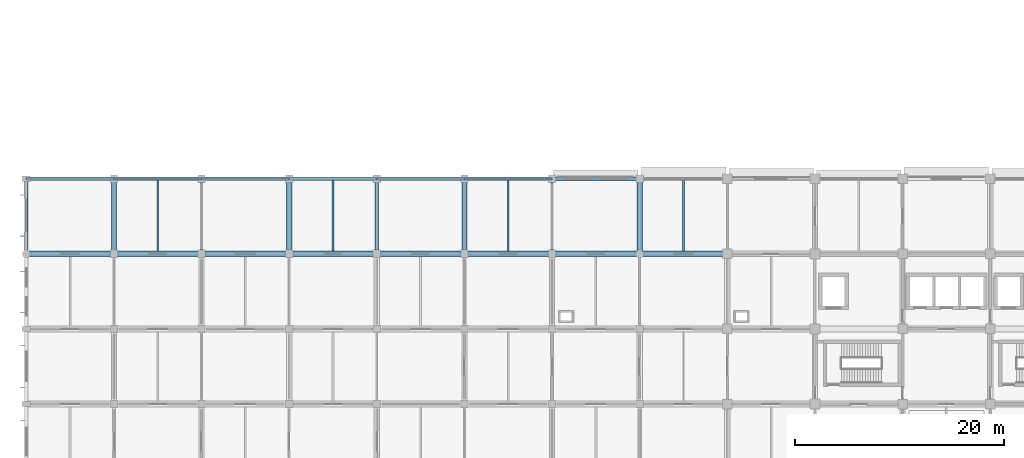
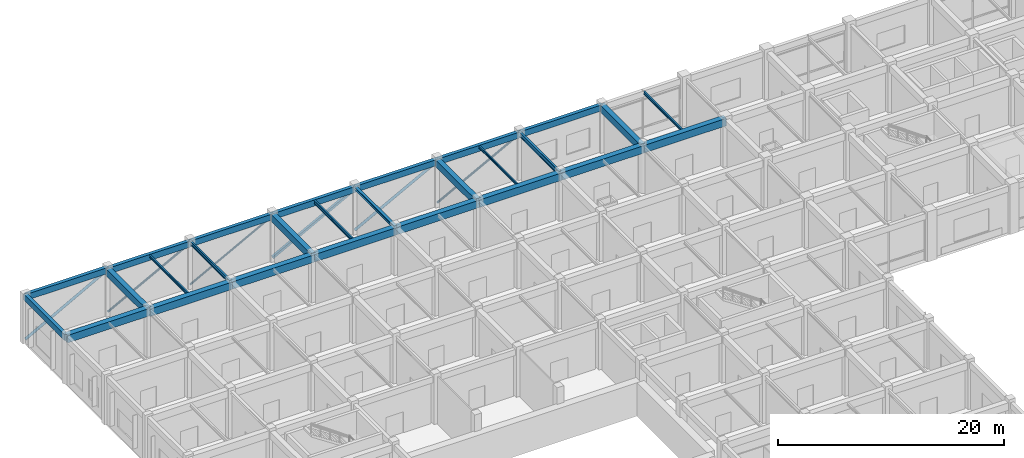
# One storey, part 9 of 41: 27 beams, 6 members.
"""IFC4 building model written with IfcOpenShell, lengths in metres."""

from ifc_helpers import new_model, si_unit, derived_unit, direction, frame, origin, origin_2d, place, context, subcontext, project, spatial, rectangle, hollow_rectangle, hollow_circle, i_section, extrude, material, material_profile, profile_set, type_object, element, save


model = new_model("IFC4")

# Units and contexts
model_context = context("Model", 3, precision=1e-05, world=origin(), true_north=direction((0.0, 1.0)))
body_context = subcontext(model_context, "Body", "Model", "MODEL_VIEW")
ifc_project = project(units=[si_unit("LENGTHUNIT", "METRE"), si_unit("AREAUNIT", "SQUARE_METRE"), si_unit("VOLUMEUNIT", "CUBIC_METRE"), si_unit("PLANEANGLEUNIT", "RADIAN"), si_unit("MASSUNIT", "GRAM", prefix="KILO"), derived_unit("THERMALTRANSMITTANCEUNIT", [(si_unit("MASSUNIT", "GRAM", prefix="KILO"), 1), (si_unit("TIMEUNIT", "SECOND"), -3), (si_unit("THERMODYNAMICTEMPERATUREUNIT", "KELVIN"), -1)])], contexts=[model_context])

# Site, building, storey
site_placement = place(None, origin())
site = spatial("IfcSite", under=ifc_project, at=site_placement, CompositionType="ELEMENT")
building_placement = place(site_placement, origin())
building = spatial("IfcBuilding", under=site, at=building_placement, Name="Veldstrom Oceanarium and Marine Research Institute", CompositionType="ELEMENT")
storey_placement = place(building_placement, frame((0.0, 0.0, 6.0)))
storey = spatial("IfcBuildingStorey", under=building, at=storey_placement, Name="L01", CompositionType="ELEMENT", Elevation=6.0)

# Beams
ifc_material_1 = material(Name="Concrete C40/50", Category="concrete")
ifc_material_profile_1 = material_profile(ifc_material_1, rectangle(XDim=0.550048828125, YDim=0.800048828125, at=origin_2d()), Name="RC-BM-550x800")
ifc_profile_set_1 = profile_set([ifc_material_profile_1], Name="Concrete C40/50")
beam_type_1 = type_object("IfcBeamType", Name="STR-BM-B02", PredefinedType="BEAM", material=ifc_profile_set_1)
beam_1_placement = place(storey_placement, frame((0.0, 64.800048828125, 4.77001953125), z_axis=(1.0, 0.0, 0.0), x_axis=(0.0, 1.0, 0.0)))
element("IfcBeam", 1, at=beam_1_placement, inside=storey, type_object=beam_type_1, Name="Primary Beam B02 L01-1139", PredefinedType="BEAM", context=body_context, shape_type="SweptSolid", body=[
    extrude(rectangle(XDim=0.550048828125, YDim=0.800048828125, at=origin_2d()), origin(), (0.0, 0.0, 1.0), 8.39990234375),
])
beam_2_placement = place(storey_placement, frame((8.39990234375, 64.800048828125, 4.669921875), z_axis=(1.0, 0.0, 0.0), x_axis=(0.0, 1.0, 0.0)))
element("IfcBeam", 2, at=beam_2_placement, inside=storey, type_object=beam_type_1, Name="Primary Beam B02 L01-1148", PredefinedType="BEAM", context=body_context, shape_type="SweptSolid", body=[
    extrude(rectangle(XDim=0.550048828125, YDim=0.800048828125, at=origin_2d()), origin(), (0.0, 0.0, 1.0), 8.400146484375),
])
beam_3_placement = place(storey_placement, frame((16.800048828125, 64.800048828125, 4.669921875), z_axis=(1.0, 0.0, 0.0), x_axis=(0.0, 1.0, 0.0)))
element("IfcBeam", 3, at=beam_3_placement, inside=storey, type_object=beam_type_1, Name="Primary Beam B02 L01-1156", PredefinedType="BEAM", context=body_context, shape_type="SweptSolid", body=[
    extrude(rectangle(XDim=0.550048828125, YDim=0.800048828125, at=origin_2d()), origin(), (0.0, 0.0, 1.0), 8.39990234375),
])
beam_4_placement = place(storey_placement, frame((25.199951171875, 64.800048828125, 4.669921875), z_axis=(1.0, 0.0, 0.0), x_axis=(0.0, 1.0, 0.0)))
element("IfcBeam", 4, at=beam_4_placement, inside=storey, type_object=beam_type_1, Name="Primary Beam B02 L01-1164", PredefinedType="BEAM", context=body_context, shape_type="SweptSolid", body=[
    extrude(rectangle(XDim=0.550048828125, YDim=0.800048828125, at=origin_2d()), origin(), (0.0, 0.0, 1.0), 8.400146484375),
])
for number, where, z_axis, x_axis, name in (
    (5, (33.60009765625, 64.800048828125, 4.669921875), (1.0, 0.0, 0.0), (0.0, 1.0, 0.0), "Primary Beam B02 L01-1172"),
    (6, (42.0, 64.800048828125, 4.669921875), (1.0, 0.0, 0.0), (0.0, 1.0, 0.0), "Primary Beam B02 L01-1183"),
):
    element("IfcBeam", number, at=place(storey_placement, frame(where, z_axis=z_axis, x_axis=x_axis)), inside=storey, type_object=beam_type_1, Name=name, PredefinedType="BEAM", context=body_context, shape_type="SweptSolid", body=[
        extrude(rectangle(XDim=0.550048828125, YDim=0.800048828125, at=origin_2d()), origin(), (0.0, 0.0, 1.0), 8.39990234375),
    ])
beam_5_placement = place(storey_placement, frame((50.39990234375, 64.800048828125, 4.669921875), z_axis=(1.0, 0.0, 0.0), x_axis=(0.0, 1.0, 0.0)))
element("IfcBeam", 7, at=beam_5_placement, inside=storey, type_object=beam_type_1, Name="Primary Beam B02 L01-1194", PredefinedType="BEAM", context=body_context, shape_type="SweptSolid", body=[
    extrude(rectangle(XDim=0.550048828125, YDim=0.800048828125, at=origin_2d()), origin(), (0.0, 0.0, 1.0), 8.400146484375),
])
beam_6_placement = place(storey_placement, frame((58.800048828125, 64.800048828125, 4.669921875), z_axis=(1.0, 0.0, 0.0), x_axis=(0.0, 1.0, 0.0)))
element("IfcBeam", 8, at=beam_6_placement, inside=storey, type_object=beam_type_1, Name="Primary Beam B02 L01-1205", PredefinedType="BEAM", context=body_context, shape_type="SweptSolid", body=[
    extrude(rectangle(XDim=0.550048828125, YDim=0.800048828125, at=origin_2d()), origin(), (0.0, 0.0, 1.0), 8.39990234375),
])
ifc_material_2 = material(Name="Concrete C40/50", Category="concrete")
ifc_material_profile_2 = material_profile(ifc_material_2, rectangle(XDim=0.5, YDim=0.75, at=origin_2d()), Name="RC-BM-500x750")
ifc_profile_set_2 = profile_set([ifc_material_profile_2], Name="Concrete C40/50")
beam_type_2 = type_object("IfcBeamType", Name="STR-BM-B03", PredefinedType="BEAM", material=ifc_profile_set_2)
for number, where, z_axis, x_axis, name in (
    (9, (8.39990234375, 64.800048828125, 4.695068359375), (0.0, 1.0, 0.0), (-1.0, 0.0, 0.0), "Primary Beam B03 L01-1300"),
    (10, (25.199951171875, 64.800048828125, 4.695068359375), (0.0, 1.0, 0.0), (-1.0, 0.0, 0.0), "Primary Beam B03 L01-1316"),
    (11, (42.0, 64.800048828125, 4.695068359375), (0.0, 1.0, 0.0), (-1.0, 0.0, 0.0), "Primary Beam B03 L01-1332"),
    (12, (58.800048828125, 64.800048828125, 4.695068359375), (0.0, 1.0, 0.0), (-1.0, 0.0, 0.0), "Primary Beam B03 L01-1352"),
):
    element("IfcBeam", number, at=place(storey_placement, frame(where, z_axis=z_axis, x_axis=x_axis)), inside=storey, type_object=beam_type_2, Name=name, PredefinedType="BEAM", context=body_context, shape_type="SweptSolid", body=[
        extrude(rectangle(XDim=0.5, YDim=0.75, at=origin_2d()), origin(), (0.0, 0.0, 1.0), 7.199951171875),
    ])
ifc_material_3 = material(Name="Steel S355JR", Category="steel")
ifc_material_profile_3 = material_profile(ifc_material_3, i_section(OverallWidth=0.300048828125, OverallDepth=0.2900390625, WebThickness=0.008544921875, FlangeThickness=0.013916015625, FilletRadius=0.027099609375, at=origin_2d()), Name="HEA 300")
ifc_profile_set_3 = profile_set([ifc_material_profile_3], Name="Steel S355JR")
beam_type_3 = type_object("IfcBeamType", Name="STR-BM-SB10", PredefinedType="BEAM", material=ifc_profile_set_3)
beam_7_placement = place(storey_placement, frame((33.60009765625, 64.800048828125, 4.925048828125), z_axis=(0.0, 1.0, 0.0), x_axis=(-1.0, 0.0, 0.0)))
element("IfcBeam", 13, at=beam_7_placement, inside=storey, type_object=beam_type_3, Name="Steel Tie Beam SB10 L01-1322", PredefinedType="BEAM", context=body_context, shape_type="SweptSolid", body=[
    extrude(i_section(OverallWidth=0.300048828125, OverallDepth=0.2900390625, WebThickness=0.008544921875, FlangeThickness=0.013916015625, FilletRadius=0.027099609375, at=origin_2d()), origin(), (0.0, 0.0, 1.0), 7.199951171875),
])
ifc_material_4 = material(Name="Steel S355JR", Category="steel")
ifc_material_profile_4 = material_profile(ifc_material_4, i_section(OverallWidth=0.199951171875, OverallDepth=0.5, WebThickness=0.01025390625, FlangeThickness=0.01611328125, FilletRadius=0.02099609375, at=origin_2d()), Name="IPE 500")
ifc_profile_set_4 = profile_set([ifc_material_profile_4], Name="Steel S355JR")
beam_type_4 = type_object("IfcBeamType", Name="STR-BM-SB6", PredefinedType="BEAM", material=ifc_profile_set_4)
beam_8_placement = place(storey_placement, frame((50.39990234375, 64.800048828125, 4.820068359375), z_axis=(0.0, 1.0, 0.0), x_axis=(-1.0, 0.0, 0.0)))
element("IfcBeam", 14, at=beam_8_placement, inside=storey, type_object=beam_type_4, Name="Steel Tie Beam SB6 L01-1342", PredefinedType="BEAM", context=body_context, shape_type="SweptSolid", body=[
    extrude(i_section(OverallWidth=0.199951171875, OverallDepth=0.5, WebThickness=0.01025390625, FlangeThickness=0.01611328125, FilletRadius=0.02099609375, at=origin_2d()), origin(), (0.0, 0.0, 1.0), 7.199951171875),
])
ifc_material_5 = material(Name="Steel S355JR", Category="steel")
ifc_material_profile_5 = material_profile(ifc_material_5, i_section(OverallWidth=0.179931640625, OverallDepth=0.39990234375, WebThickness=0.008544921875, FlangeThickness=0.013427734375, FilletRadius=0.02099609375, at=origin_2d()), Name="IPE 400")
ifc_profile_set_5 = profile_set([ifc_material_profile_5], Name="Steel S355JR")
beam_type_5 = type_object("IfcBeamType", Name="STR-BM-SB8", PredefinedType="BEAM", material=ifc_profile_set_5)
beam_9_placement = place(storey_placement, frame((16.800048828125, 64.800048828125, 4.8701171875), z_axis=(0.0, 1.0, 0.0), x_axis=(-1.0, 0.0, 0.0)))
element("IfcBeam", 15, at=beam_9_placement, inside=storey, type_object=beam_type_5, Name="Steel Tie Beam SB8 L01-1310", PredefinedType="BEAM", context=body_context, shape_type="SweptSolid", body=[
    extrude(i_section(OverallWidth=0.179931640625, OverallDepth=0.39990234375, WebThickness=0.008544921875, FlangeThickness=0.013427734375, FilletRadius=0.02099609375, at=origin_2d()), origin(), (0.0, 0.0, 1.0), 7.199951171875),
])
ifc_material_6 = material(Name="Steel S355JR", Category="steel")
ifc_material_profile_6 = material_profile(ifc_material_6, i_section(OverallWidth=0.169921875, OverallDepth=0.360107421875, WebThickness=0.008056640625, FlangeThickness=0.0126953125, FilletRadius=0.01806640625, at=origin_2d()), Name="IPE 360")
ifc_profile_set_6 = profile_set([ifc_material_profile_6], Name="Steel S355JR")
beam_type_6 = type_object("IfcBeamType", Name="STR-JST-SJ1", PredefinedType="JOIST", material=ifc_profile_set_6)
beam_10_placement = place(storey_placement, frame((29.39990234375, 65.074951171875, 4.889892578125), z_axis=(0.0, 1.0, 0.0), x_axis=(-1.0, 0.0, 0.0)))
element("IfcBeam", 16, at=beam_10_placement, inside=storey, type_object=beam_type_6, Name="Secondary Joist SJ1 L01-1444", PredefinedType="JOIST", context=body_context, shape_type="SweptSolid", body=[
    extrude(i_section(OverallWidth=0.169921875, OverallDepth=0.360107421875, WebThickness=0.008056640625, FlangeThickness=0.0126953125, FilletRadius=0.01806640625, at=origin_2d()), origin(), (0.0, 0.0, 1.0), 6.75),
])
ifc_material_7 = material(Name="Steel S355JR", Category="steel")
ifc_material_profile_7 = material_profile(ifc_material_7, i_section(OverallWidth=0.14990234375, OverallDepth=0.300048828125, WebThickness=0.007080078125, FlangeThickness=0.0107421875, FilletRadius=0.014892578125, at=origin_2d()), Name="IPE 300")
ifc_profile_set_7 = profile_set([ifc_material_profile_7], Name="Steel S355JR")
beam_type_7 = type_object("IfcBeamType", Name="STR-JST-SJ2", PredefinedType="JOIST", material=ifc_profile_set_7)
for number, where, z_axis, x_axis, name in (
    (17, (12.60009765625, 65.074951171875, 4.919921875), (0.0, 1.0, 0.0), (-1.0, 0.0, 0.0), "Secondary Joist SJ2 L01-1438"),
    (18, (63.0, 65.074951171875, 4.919921875), (0.0, 1.0, 0.0), (-1.0, 0.0, 0.0), "Secondary Joist SJ2 L01-1461"),
):
    element("IfcBeam", number, at=place(storey_placement, frame(where, z_axis=z_axis, x_axis=x_axis)), inside=storey, type_object=beam_type_7, Name=name, PredefinedType="JOIST", context=body_context, shape_type="SweptSolid", body=[
        extrude(i_section(OverallWidth=0.14990234375, OverallDepth=0.300048828125, WebThickness=0.007080078125, FlangeThickness=0.0107421875, FilletRadius=0.014892578125, at=origin_2d()), origin(), (0.0, 0.0, 1.0), 6.75),
    ])
ifc_material_8 = material(Name="Steel S355JR", Category="steel")
ifc_material_profile_8 = material_profile(ifc_material_8, i_section(OverallWidth=0.135009765625, OverallDepth=0.27001953125, WebThickness=0.006591796875, FlangeThickness=0.01025390625, FilletRadius=0.014892578125, at=origin_2d()), Name="IPE 270")
ifc_profile_set_8 = profile_set([ifc_material_profile_8], Name="Steel S355JR")
beam_type_8 = type_object("IfcBeamType", Name="STR-JST-SJ3", PredefinedType="JOIST", material=ifc_profile_set_8)
beam_11_placement = place(storey_placement, frame((46.199951171875, 65.074951171875, 4.93505859375), z_axis=(0.0, 1.0, 0.0), x_axis=(-1.0, 0.0, 0.0)))
element("IfcBeam", 19, at=beam_11_placement, inside=storey, type_object=beam_type_8, Name="Secondary Joist SJ3 L01-1451", PredefinedType="JOIST", context=body_context, shape_type="SweptSolid", body=[
    extrude(i_section(OverallWidth=0.135009765625, OverallDepth=0.27001953125, WebThickness=0.006591796875, FlangeThickness=0.01025390625, FilletRadius=0.014892578125, at=origin_2d()), origin(), (0.0, 0.0, 1.0), 6.75),
])

# Members
ifc_material_9 = material(Name="Steel S355JR", Category="steel")
ifc_material_profile_9 = material_profile(ifc_material_9, hollow_circle(Radius=0.109619140625, WallThickness=0.012451171875, at=origin_2d()), Name="CHS 219.1x12.5")
ifc_profile_set_9 = profile_set([ifc_material_profile_9], Name="Steel S355JR")
member_type_1 = type_object("IfcMemberType", Name="STR-MEM-BR1", PredefinedType="BRACE", material=ifc_profile_set_9)
member_1_placement = place(storey_placement, frame((8.39990234375, 72.0, 0.25), z_axis=(0.882570125241, 0.0, 0.470180788667), x_axis=(0.0, 1.0, 0.0)))
element("IfcMember", 20, at=member_1_placement, inside=storey, type_object=member_type_1, Name="Party-Wall Lateral Brace LB-L01-0608", PredefinedType="BRACE", context=body_context, shape_type="SweptSolid", body=[
    extrude(hollow_circle(Radius=0.109619140625, WallThickness=0.012451171875, at=origin_2d()), origin(), (0.0, 0.0, 1.0), 9.517822265625),
])
member_2_placement = place(storey_placement, frame((42.0, 72.0, 0.25), z_axis=(0.882564454407, 0.0, 0.47019143316), x_axis=(0.0, 1.0, 0.0)))
element("IfcMember", 21, at=member_2_placement, inside=storey, type_object=member_type_1, Name="Party-Wall Lateral Brace LB-L01-0612", PredefinedType="BRACE", context=body_context, shape_type="SweptSolid", body=[
    extrude(hollow_circle(Radius=0.109619140625, WallThickness=0.012451171875, at=origin_2d()), origin(), (0.0, 0.0, 1.0), 9.517578125),
])
ifc_material_10 = material(Name="Steel S355JR", Category="steel")
ifc_material_profile_10 = material_profile(ifc_material_10, hollow_circle(Radius=0.096923828125, WallThickness=0.010009765625, at=origin_2d()), Name="CHS 193.7x10")
ifc_profile_set_10 = profile_set([ifc_material_profile_10], Name="Steel S355JR")
member_type_2 = type_object("IfcMemberType", Name="STR-MEM-BR2", PredefinedType="BRACE", material=ifc_profile_set_10)
member_3_placement = place(storey_placement, frame((16.800048828125, 72.0, 0.25), z_axis=(0.882564454407, 0.0, 0.47019143316), x_axis=(0.0, 1.0, 0.0)))
element("IfcMember", 22, at=member_3_placement, inside=storey, type_object=member_type_2, Name="Party-Wall Lateral Brace LB-L01-0609", PredefinedType="BRACE", context=body_context, shape_type="SweptSolid", body=[
    extrude(hollow_circle(Radius=0.096923828125, WallThickness=0.010009765625, at=origin_2d()), origin(), (0.0, 0.0, 1.0), 9.517578125),
])
ifc_material_11 = material(Name="Steel S355JR", Category="steel")
ifc_material_profile_11 = material_profile(ifc_material_11, hollow_rectangle(XDim=0.25, YDim=0.25, WallThickness=0.012451171875, at=origin_2d()), Name="SHS 250x250x12.5")
ifc_profile_set_11 = profile_set([ifc_material_profile_11], Name="Steel S355JR")
member_type_3 = type_object("IfcMemberType", Name="STR-MEM-CH1", PredefinedType="CHORD", material=ifc_profile_set_11)
member_4_placement = place(storey_placement, frame((25.199951171875, 72.0, 0.25), z_axis=(0.882570125241, 0.0, 0.470180788667), x_axis=(0.0, 1.0, 0.0)))
element("IfcMember", 23, at=member_4_placement, inside=storey, type_object=member_type_3, Name="Party-Wall Lateral Brace LB-L01-0610", PredefinedType="CHORD", context=body_context, shape_type="SweptSolid", body=[
    extrude(hollow_rectangle(XDim=0.25, YDim=0.25, WallThickness=0.012451171875, at=origin_2d()), origin(), (0.0, 0.0, 1.0), 9.517822265625),
])
ifc_material_12 = material(Name="Steel S355JR", Category="steel")
ifc_material_profile_12 = material_profile(ifc_material_12, hollow_circle(Radius=0.136474609375, WallThickness=0.012451171875, at=origin_2d()), Name="CHS 273x12.5")
ifc_profile_set_12 = profile_set([ifc_material_profile_12], Name="Steel S355JR")
member_type_4 = type_object("IfcMemberType", Name="STR-MEM-CH3", PredefinedType="CHORD", material=ifc_profile_set_12)
member_5_placement = place(storey_placement, frame((0.0, 72.0, 0.25), z_axis=(0.878194866662, 0.0, 0.478303017101), x_axis=(0.0, 1.0, 0.0)))
element("IfcMember", 24, at=member_5_placement, inside=storey, type_object=member_type_4, Name="Party-Wall Lateral Brace LB-L01-0607", PredefinedType="CHORD", context=body_context, shape_type="SweptSolid", body=[
    extrude(hollow_circle(Radius=0.136474609375, WallThickness=0.012451171875, at=origin_2d()), origin(), (0.0, 0.0, 1.0), 9.56494140625),
])
member_6_placement = place(storey_placement, frame((33.60009765625, 72.0, 0.25), z_axis=(0.882564454407, 0.0, 0.47019143316), x_axis=(0.0, 1.0, 0.0)))
element("IfcMember", 25, at=member_6_placement, inside=storey, type_object=member_type_4, Name="Party-Wall Lateral Brace LB-L01-0611", PredefinedType="CHORD", context=body_context, shape_type="SweptSolid", body=[
    extrude(hollow_circle(Radius=0.136474609375, WallThickness=0.012451171875, at=origin_2d()), origin(), (0.0, 0.0, 1.0), 9.517578125),
])

# Beams
ifc_material_13 = material(Name="Concrete C40/50", Category="concrete")
ifc_material_profile_13 = material_profile(ifc_material_13, rectangle(XDim=0.35009765625, YDim=0.64990234375, at=origin_2d()), Name="RC-SPN-350x650")
ifc_profile_set_13 = profile_set([ifc_material_profile_13], Name="Concrete C40/50")
beam_type_9 = type_object("IfcBeamType", Name="STR-SPN-SP1", PredefinedType="SPANDREL", material=ifc_profile_set_13)
beam_12_placement = place(storey_placement, frame((0.0, 72.0, 4.844970703125), z_axis=(1.0, 0.0, 0.0), x_axis=(0.0, 1.0, 0.0)))
element("IfcBeam", 26, at=beam_12_placement, inside=storey, type_object=beam_type_9, Name="Perimeter Spandrel SPB1 L01-1140", PredefinedType="SPANDREL", context=body_context, shape_type="SweptSolid", body=[
    extrude(rectangle(XDim=0.35009765625, YDim=0.64990234375, at=origin_2d()), origin(), (0.0, 0.0, 1.0), 8.39990234375),
])
beam_13_placement = place(storey_placement, frame((8.39990234375, 72.0, 4.7451171875), z_axis=(1.0, 0.0, 0.0), x_axis=(0.0, 1.0, 0.0)))
element("IfcBeam", 27, at=beam_13_placement, inside=storey, type_object=beam_type_9, Name="Perimeter Spandrel SPB1 L01-1149", PredefinedType="SPANDREL", context=body_context, shape_type="SweptSolid", body=[
    extrude(rectangle(XDim=0.35009765625, YDim=0.64990234375, at=origin_2d()), origin(), (0.0, 0.0, 1.0), 8.400146484375),
])
beam_14_placement = place(storey_placement, frame((16.800048828125, 72.0, 4.7451171875), z_axis=(1.0, 0.0, 0.0), x_axis=(0.0, 1.0, 0.0)))
element("IfcBeam", 28, at=beam_14_placement, inside=storey, type_object=beam_type_9, Name="Perimeter Spandrel SPB1 L01-1157", PredefinedType="SPANDREL", context=body_context, shape_type="SweptSolid", body=[
    extrude(rectangle(XDim=0.35009765625, YDim=0.64990234375, at=origin_2d()), origin(), (0.0, 0.0, 1.0), 8.39990234375),
])
beam_15_placement = place(storey_placement, frame((25.199951171875, 72.0, 4.7451171875), z_axis=(1.0, 0.0, 0.0), x_axis=(0.0, 1.0, 0.0)))
element("IfcBeam", 29, at=beam_15_placement, inside=storey, type_object=beam_type_9, Name="Perimeter Spandrel SPB1 L01-1165", PredefinedType="SPANDREL", context=body_context, shape_type="SweptSolid", body=[
    extrude(rectangle(XDim=0.35009765625, YDim=0.64990234375, at=origin_2d()), origin(), (0.0, 0.0, 1.0), 8.400146484375),
])
for number, where, z_axis, x_axis, name in (
    (30, (33.60009765625, 72.0, 4.7451171875), (1.0, 0.0, 0.0), (0.0, 1.0, 0.0), "Perimeter Spandrel SPB1 L01-1173"),
    (31, (42.0, 72.0, 4.7451171875), (1.0, 0.0, 0.0), (0.0, 1.0, 0.0), "Perimeter Spandrel SPB1 L01-1184"),
):
    element("IfcBeam", number, at=place(storey_placement, frame(where, z_axis=z_axis, x_axis=x_axis)), inside=storey, type_object=beam_type_9, Name=name, PredefinedType="SPANDREL", context=body_context, shape_type="SweptSolid", body=[
        extrude(rectangle(XDim=0.35009765625, YDim=0.64990234375, at=origin_2d()), origin(), (0.0, 0.0, 1.0), 8.39990234375),
    ])
beam_16_placement = place(storey_placement, frame((50.39990234375, 72.0, 4.7451171875), z_axis=(1.0, 0.0, 0.0), x_axis=(0.0, 1.0, 0.0)))
element("IfcBeam", 32, at=beam_16_placement, inside=storey, type_object=beam_type_9, Name="Perimeter Spandrel SPB1 L01-1195", PredefinedType="SPANDREL", context=body_context, shape_type="SweptSolid", body=[
    extrude(rectangle(XDim=0.35009765625, YDim=0.64990234375, at=origin_2d()), origin(), (0.0, 0.0, 1.0), 8.400146484375),
])
beam_17_placement = place(storey_placement, frame((0.0, 64.800048828125, 4.844970703125), z_axis=(0.0, 1.0, 0.0), x_axis=(-1.0, 0.0, 0.0)))
element("IfcBeam", 33, at=beam_17_placement, inside=storey, type_object=beam_type_9, Name="Perimeter Spandrel SPB1 L01-1292", PredefinedType="SPANDREL", context=body_context, shape_type="SweptSolid", body=[
    extrude(rectangle(XDim=0.35009765625, YDim=0.64990234375, at=origin_2d()), origin(), (0.0, 0.0, 1.0), 7.199951171875),
])

save(model, "model.ifc")
